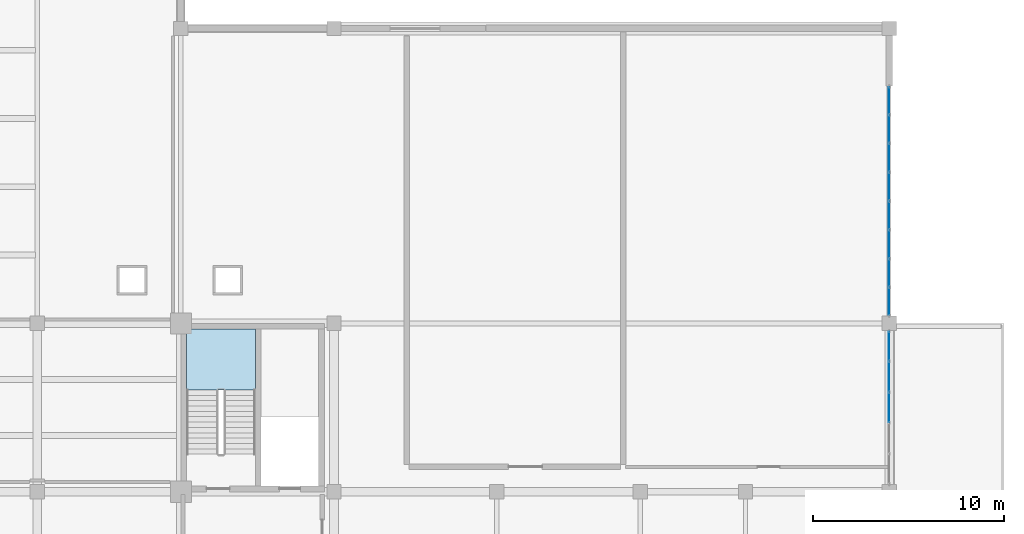
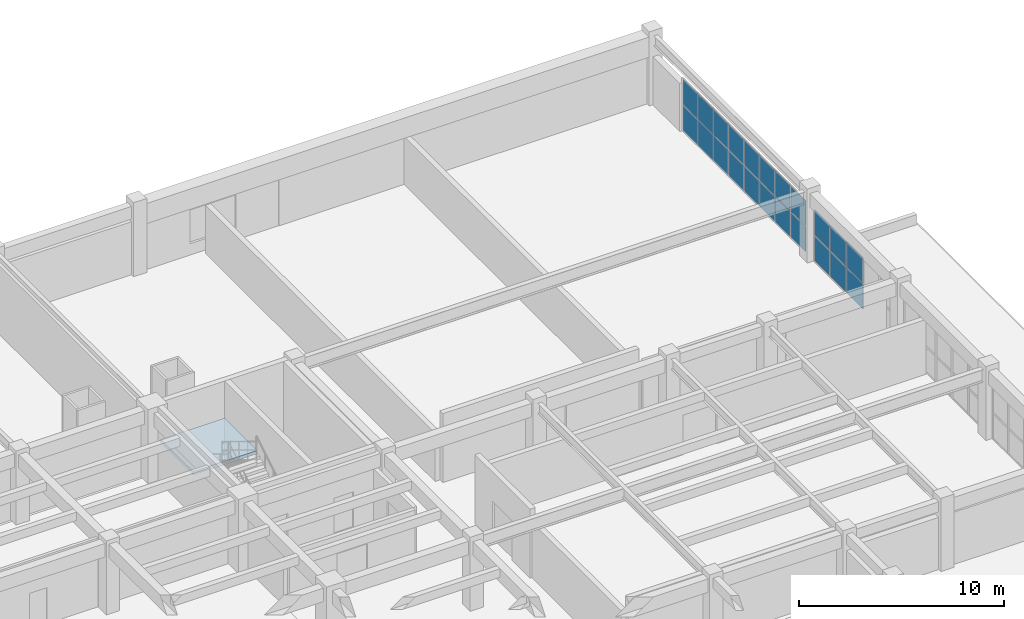
# One storey, part 62 of 90: 22 plates, 1 slab, 3 elements without a shape of their own.
"""IFC4 building model written with IfcOpenShell, lengths in metres."""

from ifc_helpers import new_model, si_unit, direction, frame, origin, origin_2d, place, context, subcontext, project, spatial, polyline, rectangle, outline, extrude, material, layer, layer_set, type_object, element, aggregate, save


model = new_model("IFC4")

# Units and contexts
model_context = context("Model", 3, precision=1e-05, world=origin(), true_north=direction((0.0, 1.0)))
body_context = subcontext(model_context, "Body", "Model", "MODEL_VIEW")
ifc_project = project(units=[si_unit("LENGTHUNIT", "METRE"), si_unit("AREAUNIT", "SQUARE_METRE"), si_unit("VOLUMEUNIT", "CUBIC_METRE"), si_unit("PLANEANGLEUNIT", "RADIAN"), si_unit("MASSUNIT", "GRAM", prefix="KILO")], contexts=[model_context])

# Site, building, storey
site_placement = place(None, origin())
site = spatial("IfcSite", under=ifc_project, at=site_placement, CompositionType="ELEMENT")
building_placement = place(site_placement, origin())
building = spatial("IfcBuilding", under=site, at=building_placement, Name="Muzn Square Opera House", CompositionType="ELEMENT")
storey_placement = place(building_placement, frame((0.0, 0.0, 9.800048828125)))
storey = spatial("IfcBuildingStorey", under=building, at=storey_placement, Name="L02", CompositionType="ELEMENT", Elevation=9.800048828125)

# Curtain wall, plates
ifc_material_1 = material(Name="Low-E laminated acoustic double glazing", Category="glass")
ifc_layer_1 = layer(ifc_material_1, 0.159912109375, Name="Low-E laminated acoustic double glazing", Category="glass")
ifc_layer_set_1 = layer_set([ifc_layer_1], Name="Low-E laminated acoustic double glazing")
curtain_wall_type_1 = type_object("IfcCurtainWallType", Name="Glazed Curtain Wall RehearsalEast 8050x3150", PredefinedType="USERDEFINED", material=ifc_layer_set_1)
curtain_wall_1_placement = place(storey_placement, origin())
curtain_wall_1 = element("IfcCurtainWall", 1, at=curtain_wall_1_placement, inside=storey, type_object=curtain_wall_type_1, Name="Glazed Curtain Wall CW-L02-124", ObjectType="GLAZED CURTAIN WALL", PredefinedType="USERDEFINED")
ifc_layer_2 = layer(ifc_material_1, 0.028076171875, Name="Low-E laminated acoustic double glazing", Category="glass")
ifc_layer_set_2 = layer_set([ifc_layer_2], Name="Low-E laminated acoustic double glazing")
plate_type = type_object("IfcPlateType", Name="Curtain Wall Acoustic Glazed Panel 28mm", PredefinedType="CURTAIN_PANEL", material=ifc_layer_set_2)
plate_1_placement = place(storey_placement, frame((170.0, 94.199951171875, 0.06005859375), z_axis=(0.0, 0.0, 1.0), x_axis=(0.0, 1.0, 0.0)))
plate_1 = element("IfcPlate", 2, at=plate_1_placement, type_object=plate_type, Name="CW-RHE-80x31 panel 3.1", PredefinedType="CURTAIN_PANEL", context=body_context, shape_type="SweptSolid", body=[
    extrude(rectangle(XDim=1.550048828125, YDim=0.028076171875, at=origin_2d()), origin(), (0.0, 0.0, 1.0), 1.485107421875),
])
plate_2_placement = place(storey_placement, frame((170.0, 94.199951171875, 1.60498046875), z_axis=(0.0, 0.0, 1.0), x_axis=(0.0, 1.0, 0.0)))
plate_2 = element("IfcPlate", 3, at=plate_2_placement, type_object=plate_type, Name="CW-RHE-80x31 panel 3.2", PredefinedType="CURTAIN_PANEL", context=body_context, shape_type="SweptSolid", body=[
    extrude(rectangle(XDim=1.550048828125, YDim=0.028076171875, at=origin_2d()), origin(), (0.0, 0.0, 1.0), 1.485107421875),
])
plate_3_placement = place(storey_placement, frame((170.0, 95.81005859375, 0.06005859375), z_axis=(0.0, 0.0, 1.0), x_axis=(0.0, 1.0, 0.0)))
plate_3 = element("IfcPlate", 4, at=plate_3_placement, type_object=plate_type, Name="CW-RHE-80x31 panel 4.1", PredefinedType="CURTAIN_PANEL", context=body_context, shape_type="SweptSolid", body=[
    extrude(rectangle(XDim=1.550048828125, YDim=0.028076171875, at=origin_2d()), origin(), (0.0, 0.0, 1.0), 1.485107421875),
])
plate_4_placement = place(storey_placement, frame((170.0, 95.81005859375, 1.60498046875), z_axis=(0.0, 0.0, 1.0), x_axis=(0.0, 1.0, 0.0)))
plate_4 = element("IfcPlate", 5, at=plate_4_placement, type_object=plate_type, Name="CW-RHE-80x31 panel 4.2", PredefinedType="CURTAIN_PANEL", context=body_context, shape_type="SweptSolid", body=[
    extrude(rectangle(XDim=1.550048828125, YDim=0.028076171875, at=origin_2d()), origin(), (0.0, 0.0, 1.0), 1.485107421875),
])
plate_5_placement = place(storey_placement, frame((170.0, 97.405029296875, 0.06005859375), z_axis=(0.0, 0.0, 1.0), x_axis=(0.0, 1.0, 0.0)))
plate_5 = element("IfcPlate", 6, at=plate_5_placement, type_object=plate_type, Name="CW-RHE-80x31 panel 5.1", PredefinedType="CURTAIN_PANEL", context=body_context, shape_type="SweptSolid", body=[
    extrude(rectangle(XDim=1.52001953125, YDim=0.028076171875, at=origin_2d()), origin(), (0.0, 0.0, 1.0), 1.485107421875),
])
plate_6_placement = place(storey_placement, frame((170.0, 97.405029296875, 1.60498046875), z_axis=(0.0, 0.0, 1.0), x_axis=(0.0, 1.0, 0.0)))
plate_6 = element("IfcPlate", 7, at=plate_6_placement, type_object=plate_type, Name="CW-RHE-80x31 panel 5.2", PredefinedType="CURTAIN_PANEL", context=body_context, shape_type="SweptSolid", body=[
    extrude(rectangle(XDim=1.52001953125, YDim=0.028076171875, at=origin_2d()), origin(), (0.0, 0.0, 1.0), 1.485107421875),
])
aggregate(curtain_wall_1, [plate_1, plate_2, plate_3, plate_4, plate_5, plate_6])

ifc_layer_3 = layer(ifc_material_1, 0.159912109375, Name="Low-E laminated acoustic double glazing", Category="glass")
ifc_layer_set_3 = layer_set([ifc_layer_3], Name="Low-E laminated acoustic double glazing")
curtain_wall_type_2 = type_object("IfcCurtainWallType", Name="Glazed Curtain Wall RehearsalEast 12025x3150", PredefinedType="USERDEFINED", material=ifc_layer_set_3)
curtain_wall_2_placement = place(storey_placement, origin())
curtain_wall_2 = element("IfcCurtainWall", 8, at=curtain_wall_2_placement, inside=storey, type_object=curtain_wall_type_2, Name="Glazed Curtain Wall CW-L02-125", ObjectType="GLAZED CURTAIN WALL", PredefinedType="USERDEFINED")
plate_7_placement = place(storey_placement, frame((170.0, 99.741455078125, 0.06005859375), z_axis=(0.0, 0.0, 1.0), x_axis=(0.0, 1.0, 0.0)))
plate_7 = element("IfcPlate", 9, at=plate_7_placement, type_object=plate_type, Name="CW-RHE-120x31 panel 1.1", PredefinedType="CURTAIN_PANEL", context=body_context, shape_type="SweptSolid", body=[
    extrude(rectangle(XDim=1.4130859375, YDim=0.028076171875, at=origin_2d()), origin(), (0.0, 0.0, 1.0), 1.485107421875),
])
plate_8_placement = place(storey_placement, frame((170.0, 99.741455078125, 1.60498046875), z_axis=(0.0, 0.0, 1.0), x_axis=(0.0, 1.0, 0.0)))
plate_8 = element("IfcPlate", 10, at=plate_8_placement, type_object=plate_type, Name="CW-RHE-120x31 panel 1.2", PredefinedType="CURTAIN_PANEL", context=body_context, shape_type="SweptSolid", body=[
    extrude(rectangle(XDim=1.4130859375, YDim=0.028076171875, at=origin_2d()), origin(), (0.0, 0.0, 1.0), 1.485107421875),
])
plate_9_placement = place(storey_placement, frame((170.0, 101.229736328125, 0.06005859375), z_axis=(0.0, 0.0, 1.0), x_axis=(0.0, 1.0, 0.0)))
plate_9 = element("IfcPlate", 11, at=plate_9_placement, type_object=plate_type, Name="CW-RHE-120x31 panel 2.1", PredefinedType="CURTAIN_PANEL", context=body_context, shape_type="SweptSolid", body=[
    extrude(rectangle(XDim=1.443115234375, YDim=0.028076171875, at=origin_2d()), origin(), (0.0, 0.0, 1.0), 1.485107421875),
])
plate_10_placement = place(storey_placement, frame((170.0, 101.229736328125, 1.60498046875), z_axis=(0.0, 0.0, 1.0), x_axis=(0.0, 1.0, 0.0)))
plate_10 = element("IfcPlate", 12, at=plate_10_placement, type_object=plate_type, Name="CW-RHE-120x31 panel 2.2", PredefinedType="CURTAIN_PANEL", context=body_context, shape_type="SweptSolid", body=[
    extrude(rectangle(XDim=1.443115234375, YDim=0.028076171875, at=origin_2d()), origin(), (0.0, 0.0, 1.0), 1.485107421875),
])
plate_11_placement = place(storey_placement, frame((170.0, 102.73291015625, 0.06005859375), z_axis=(0.0, 0.0, 1.0), x_axis=(0.0, 1.0, 0.0)))
plate_11 = element("IfcPlate", 13, at=plate_11_placement, type_object=plate_type, Name="CW-RHE-120x31 panel 3.1", PredefinedType="CURTAIN_PANEL", context=body_context, shape_type="SweptSolid", body=[
    extrude(rectangle(XDim=1.443115234375, YDim=0.028076171875, at=origin_2d()), origin(), (0.0, 0.0, 1.0), 1.485107421875),
])
plate_12_placement = place(storey_placement, frame((170.0, 102.73291015625, 1.60498046875), z_axis=(0.0, 0.0, 1.0), x_axis=(0.0, 1.0, 0.0)))
plate_12 = element("IfcPlate", 14, at=plate_12_placement, type_object=plate_type, Name="CW-RHE-120x31 panel 3.2", PredefinedType="CURTAIN_PANEL", context=body_context, shape_type="SweptSolid", body=[
    extrude(rectangle(XDim=1.443115234375, YDim=0.028076171875, at=origin_2d()), origin(), (0.0, 0.0, 1.0), 1.485107421875),
])
plate_13_placement = place(storey_placement, frame((170.0, 104.23583984375, 0.06005859375), z_axis=(0.0, 0.0, 1.0), x_axis=(0.0, 1.0, 0.0)))
plate_13 = element("IfcPlate", 15, at=plate_13_placement, type_object=plate_type, Name="CW-RHE-120x31 panel 4.1", PredefinedType="CURTAIN_PANEL", context=body_context, shape_type="SweptSolid", body=[
    extrude(rectangle(XDim=1.443115234375, YDim=0.028076171875, at=origin_2d()), origin(), (0.0, 0.0, 1.0), 1.485107421875),
])
plate_14_placement = place(storey_placement, frame((170.0, 104.23583984375, 1.60498046875), z_axis=(0.0, 0.0, 1.0), x_axis=(0.0, 1.0, 0.0)))
plate_14 = element("IfcPlate", 16, at=plate_14_placement, type_object=plate_type, Name="CW-RHE-120x31 panel 4.2", PredefinedType="CURTAIN_PANEL", context=body_context, shape_type="SweptSolid", body=[
    extrude(rectangle(XDim=1.443115234375, YDim=0.028076171875, at=origin_2d()), origin(), (0.0, 0.0, 1.0), 1.485107421875),
])
plate_15_placement = place(storey_placement, frame((170.0, 105.739013671875, 0.06005859375), z_axis=(0.0, 0.0, 1.0), x_axis=(0.0, 1.0, 0.0)))
plate_15 = element("IfcPlate", 17, at=plate_15_placement, type_object=plate_type, Name="CW-RHE-120x31 panel 5.1", PredefinedType="CURTAIN_PANEL", context=body_context, shape_type="SweptSolid", body=[
    extrude(rectangle(XDim=1.443115234375, YDim=0.028076171875, at=origin_2d()), origin(), (0.0, 0.0, 1.0), 1.485107421875),
])
plate_16_placement = place(storey_placement, frame((170.0, 105.739013671875, 1.60498046875), z_axis=(0.0, 0.0, 1.0), x_axis=(0.0, 1.0, 0.0)))
plate_16 = element("IfcPlate", 18, at=plate_16_placement, type_object=plate_type, Name="CW-RHE-120x31 panel 5.2", PredefinedType="CURTAIN_PANEL", context=body_context, shape_type="SweptSolid", body=[
    extrude(rectangle(XDim=1.443115234375, YDim=0.028076171875, at=origin_2d()), origin(), (0.0, 0.0, 1.0), 1.485107421875),
])
plate_17_placement = place(storey_placement, frame((170.0, 107.2421875, 0.06005859375), z_axis=(0.0, 0.0, 1.0), x_axis=(0.0, 1.0, 0.0)))
plate_17 = element("IfcPlate", 19, at=plate_17_placement, type_object=plate_type, Name="CW-RHE-120x31 panel 6.1", PredefinedType="CURTAIN_PANEL", context=body_context, shape_type="SweptSolid", body=[
    extrude(rectangle(XDim=1.443115234375, YDim=0.028076171875, at=origin_2d()), origin(), (0.0, 0.0, 1.0), 1.485107421875),
])
plate_18_placement = place(storey_placement, frame((170.0, 107.2421875, 1.60498046875), z_axis=(0.0, 0.0, 1.0), x_axis=(0.0, 1.0, 0.0)))
plate_18 = element("IfcPlate", 20, at=plate_18_placement, type_object=plate_type, Name="CW-RHE-120x31 panel 6.2", PredefinedType="CURTAIN_PANEL", context=body_context, shape_type="SweptSolid", body=[
    extrude(rectangle(XDim=1.443115234375, YDim=0.028076171875, at=origin_2d()), origin(), (0.0, 0.0, 1.0), 1.485107421875),
])
plate_19_placement = place(storey_placement, frame((170.0, 108.745361328125, 0.06005859375), z_axis=(0.0, 0.0, 1.0), x_axis=(0.0, 1.0, 0.0)))
plate_19 = element("IfcPlate", 21, at=plate_19_placement, type_object=plate_type, Name="CW-RHE-120x31 panel 7.1", PredefinedType="CURTAIN_PANEL", context=body_context, shape_type="SweptSolid", body=[
    extrude(rectangle(XDim=1.443115234375, YDim=0.028076171875, at=origin_2d()), origin(), (0.0, 0.0, 1.0), 1.485107421875),
])
plate_20_placement = place(storey_placement, frame((170.0, 108.745361328125, 1.60498046875), z_axis=(0.0, 0.0, 1.0), x_axis=(0.0, 1.0, 0.0)))
plate_20 = element("IfcPlate", 22, at=plate_20_placement, type_object=plate_type, Name="CW-RHE-120x31 panel 7.2", PredefinedType="CURTAIN_PANEL", context=body_context, shape_type="SweptSolid", body=[
    extrude(rectangle(XDim=1.443115234375, YDim=0.028076171875, at=origin_2d()), origin(), (0.0, 0.0, 1.0), 1.485107421875),
])
plate_21_placement = place(storey_placement, frame((170.0, 110.2333984375, 0.06005859375), z_axis=(0.0, 0.0, 1.0), x_axis=(0.0, 1.0, 0.0)))
plate_21 = element("IfcPlate", 23, at=plate_21_placement, type_object=plate_type, Name="CW-RHE-120x31 panel 8.1", PredefinedType="CURTAIN_PANEL", context=body_context, shape_type="SweptSolid", body=[
    extrude(rectangle(XDim=1.4130859375, YDim=0.028076171875, at=origin_2d()), origin(), (0.0, 0.0, 1.0), 1.485107421875),
])
plate_22_placement = place(storey_placement, frame((170.0, 110.2333984375, 1.60498046875), z_axis=(0.0, 0.0, 1.0), x_axis=(0.0, 1.0, 0.0)))
plate_22 = element("IfcPlate", 24, at=plate_22_placement, type_object=plate_type, Name="CW-RHE-120x31 panel 8.2", PredefinedType="CURTAIN_PANEL", context=body_context, shape_type="SweptSolid", body=[
    extrude(rectangle(XDim=1.4130859375, YDim=0.028076171875, at=origin_2d()), origin(), (0.0, 0.0, 1.0), 1.485107421875),
])
aggregate(curtain_wall_2, [plate_7, plate_8, plate_9, plate_10, plate_11, plate_12, plate_13, plate_14, plate_15, plate_16, plate_17, plate_18, plate_19, plate_20, plate_21, plate_22])

# Stair, slab
ifc_material_2 = material(Name="Concrete C40/50", Category="concrete")
stair_type = type_object("IfcStairType", Name="Core Escape Dogleg Stair", PredefinedType="HALF_TURN_STAIR", material=ifc_material_2)
stair_placement = place(storey_placement, origin())
stair = element("IfcStair", 25, at=stair_placement, inside=storey, type_object=stair_type, Name="L02 Escape Stair ST-5", PredefinedType="HALF_TURN_STAIR")
ifc_layer_4 = layer(ifc_material_2, 0.199951171875, Name="Concrete C40/50", Category="concrete")
ifc_layer_set_4 = layer_set([ifc_layer_4], Name="Concrete C40/50")
slab_type = type_object("IfcSlabType", Name="Stair Half Landing 200mm", PredefinedType="LANDING", material=ifc_layer_set_4)
slab_placement = place(storey_placement, frame((0.0, 0.0, 2.0)))
slab = element("IfcSlab", 26, at=slab_placement, type_object=slab_type, Name="ST-5 landing 1", PredefinedType="LANDING", context=body_context, shape_type="SweptSolid", body=[
    extrude(outline(polyline([(136.89990234375, 95.1201171875), (136.89990234375, 98.300048828125), (133.300048828125, 98.300048828125), (133.300048828125, 95.1201171875), (136.89990234375, 95.1201171875)])), origin(), (0.0, 0.0, 1.0), 0.199951171875),
])
aggregate(stair, [slab])

save(model, "model.ifc")
